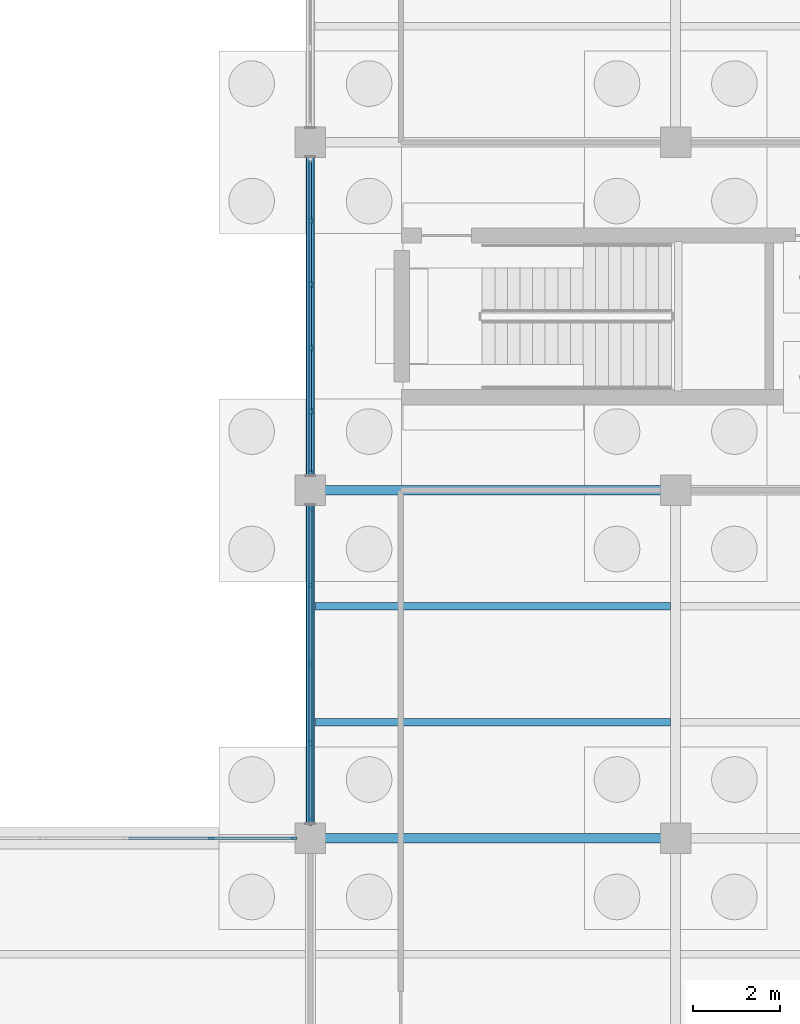
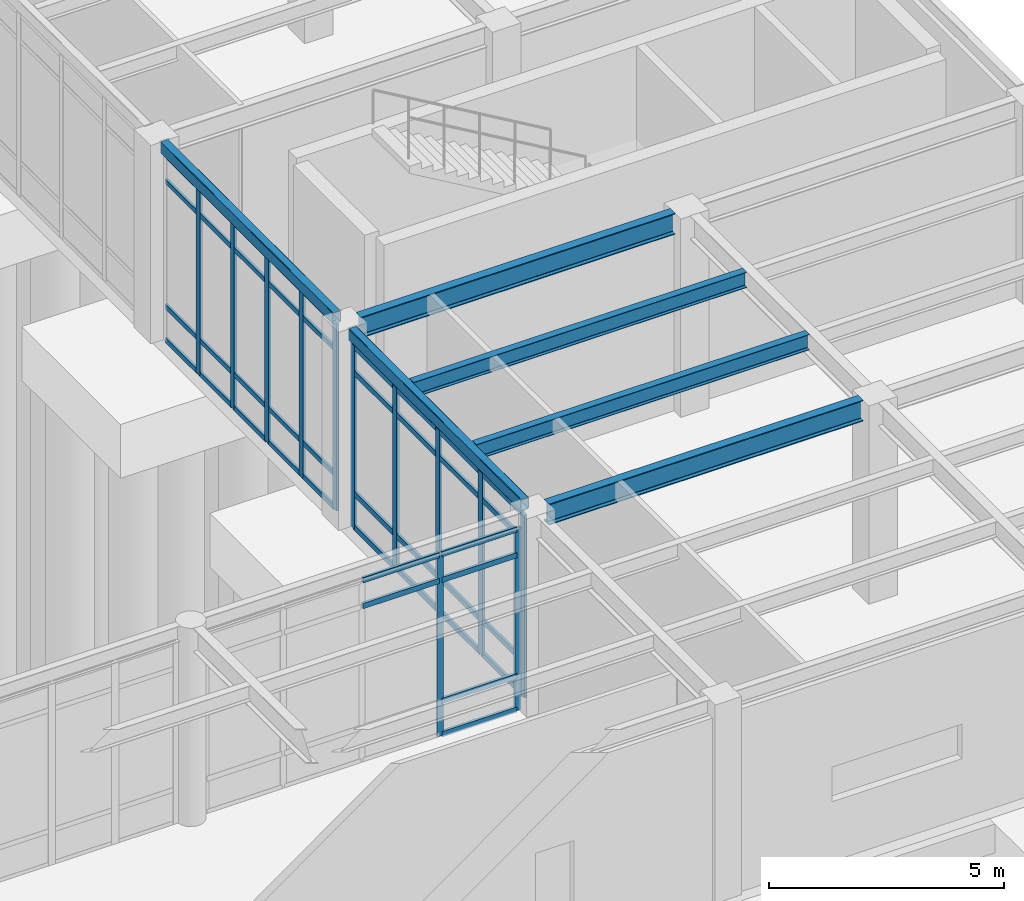
# One storey, part 58 of 138: 54 members, 6 beams, 3 elements without a shape of their own.
"""IFC4 building model written with IfcOpenShell, lengths in metres."""

import ifcopenshell
import ifcopenshell.guid

model = None  # the IFC model being written
_history = None  # IfcOwnerHistory: only IFC2X3 demands one
_inside = {}  # id of a spatial element -> (the spatial element, [elements in it])
_under = {}  # id of a project, library or spatial element -> (it, [spatial elements below it])
_declared = {}  # id of a project -> (the project, [libraries it declares])
_typed = {}  # id of a type object -> (the type object, [elements of that type])
_made_of = {}  # id of a material, layer set ... -> (it, [elements and type objects made of it])


def new_model(schema):
    """Start an empty IFC model of exactly this schema.

    Asked for "IFC4X3", IfcOpenShell would pick the latest addendum, in which some entities
    have other attributes; the version numbers below select the first issue.
    IFC2X3 requires an IfcOwnerHistory on every rooted entity: one is made here for all.
    """
    global model, _history
    if schema == "IFC4X3":
        model = ifcopenshell.file(schema_version=(4, 3, 0, 0))
    else:
        model = ifcopenshell.file(schema=schema)
    _inside.clear()
    _under.clear()
    _declared.clear()
    _typed.clear()
    _made_of.clear()
    _history = None
    if model.schema == "IFC2X3":
        org = make("IfcOrganization", Name="unknown")
        user = make(
            "IfcPersonAndOrganization",
            ThePerson=make("IfcPerson", FamilyName="unknown"),
            TheOrganization=org,
        )
        app = make(
            "IfcApplication",
            ApplicationDeveloper=org,
            Version="unknown",
            ApplicationFullName="unknown",
            ApplicationIdentifier="unknown",
        )
        _history = make(
            "IfcOwnerHistory",
            OwningUser=user,
            OwningApplication=app,
            ChangeAction="ADDED",
            CreationDate=0,
        )
    return model


def make(cls, **values):
    """One entity of the class cls with the attributes given. An attribute that is None is left unset."""
    return model.create_entity(
        cls, **{name: value for name, value in values.items() if value is not None}
    )


def rooted(cls, **values):
    """An entity with a GlobalId (a new one), such as an element, a storey or a relation."""
    return make(cls, GlobalId=ifcopenshell.guid.new(), OwnerHistory=_history, **values)


def si_unit(unit_type, name, prefix=None):
    """IfcSIUnit, for example si_unit("LENGTHUNIT", "METRE", prefix="MILLI")."""
    return make("IfcSIUnit", UnitType=unit_type, Prefix=prefix, Name=name)


def assignment(units):
    """IfcUnitAssignment: the units of a project."""
    return None if units is None else make("IfcUnitAssignment", Units=units)


def point(xyz):
    """IfcCartesianPoint."""
    return None if xyz is None else make("IfcCartesianPoint", Coordinates=xyz)


def direction(xyz):
    """IfcDirection."""
    return None if xyz is None else make("IfcDirection", DirectionRatios=xyz)


def frame(location, z_axis=None, x_axis=None):
    """IfcAxis2Placement3D, a coordinate frame: its origin and axes. An axis left out is left unset."""
    return make(
        "IfcAxis2Placement3D",
        Location=point(location),
        Axis=direction(z_axis),
        RefDirection=direction(x_axis),
    )


def frame_2d(location, x_axis=None):
    """IfcAxis2Placement2D, a coordinate frame in the plane: its origin and x axis."""
    return make(
        "IfcAxis2Placement2D", Location=point(location), RefDirection=direction(x_axis)
    )


def origin():
    """The frame at (0, 0, 0) with its axes left unset."""
    return frame((0.0, 0.0, 0.0))


def origin_2d():
    """The frame at (0, 0) in the plane with its x axis left unset."""
    return frame_2d((0.0, 0.0))


def place(relative_to, where):
    """IfcLocalPlacement: puts the frame where relative to a parent placement (None: the world)."""
    return make(
        "IfcLocalPlacement", PlacementRelTo=relative_to, RelativePlacement=where
    )


def context(
    kind, dimensions, precision=None, world=None, true_north=None, identifier=None
):
    """IfcGeometricRepresentationContext, for example the 3D "Model" context."""
    return make(
        "IfcGeometricRepresentationContext",
        ContextIdentifier=identifier,
        ContextType=kind,
        CoordinateSpaceDimension=dimensions,
        Precision=precision,
        WorldCoordinateSystem=world,
        TrueNorth=true_north,
    )


def subcontext(parent, identifier, kind, view, scale=None):
    """IfcGeometricRepresentationSubContext, for example "Body" below "Model"."""
    return make(
        "IfcGeometricRepresentationSubContext",
        ContextIdentifier=identifier,
        ContextType=kind,
        ParentContext=parent,
        TargetScale=scale,
        TargetView=view,
    )


def project(units=None, contexts=None):
    """IfcProject with its units and contexts."""
    return rooted(
        "IfcProject",
        Name="project",
        RepresentationContexts=contexts,
        UnitsInContext=assignment(units),
    )


def spatial(cls, under=None, at=None, **own):
    """A site, building, storey or space (cls), placed at a placement, below another one or the project."""
    s = rooted(cls, ObjectPlacement=at, **own)
    if under is not None:
        _under.setdefault(under.id(), (under, []))[1].append(s)
    return s


def profile(cls, at=None, kind="AREA", **sizes):
    """A parametric profile (cls). Its sizes go by their IFC names, for example OverallWidth=200.0."""
    return make(cls, ProfileType=kind, Position=at, **sizes)


def rectangle(**sizes):
    """IfcRectangleProfileDef."""
    return profile("IfcRectangleProfileDef", **sizes)


def hollow_rectangle(**sizes):
    """IfcRectangleHollowProfileDef."""
    return profile("IfcRectangleHollowProfileDef", **sizes)


def i_section(**sizes):
    """IfcIShapeProfileDef."""
    return profile("IfcIShapeProfileDef", **sizes)


def extrude(swept, where, along, depth):
    """IfcExtrudedAreaSolid: the profile swept, set in the frame where, extruded along a direction by depth."""
    return make(
        "IfcExtrudedAreaSolid",
        SweptArea=swept,
        Position=where,
        ExtrudedDirection=direction(along),
        Depth=depth,
    )


def shape(context_of_items, identifier, shape_type, items):
    """IfcShapeRepresentation: the items that make up one representation, for example the "Body"."""
    return make(
        "IfcShapeRepresentation",
        ContextOfItems=context_of_items,
        RepresentationIdentifier=identifier,
        RepresentationType=shape_type,
        Items=items,
    )


def material(Name=None, Category=None):
    """IfcMaterial."""
    return make("IfcMaterial", Name=Name, Category=Category)


def layer(
    of_material, thickness, ventilated=None, Name=None, Category=None, Priority=None
):
    """IfcMaterialLayer: one layer of a wall or slab, of a material (None: an air gap)."""
    return make(
        "IfcMaterialLayer",
        Material=of_material,
        LayerThickness=thickness,
        IsVentilated=ventilated,
        Name=Name,
        Category=Category,
        Priority=Priority,
    )


def layer_set(layers, Name=None):
    """IfcMaterialLayerSet."""
    return make("IfcMaterialLayerSet", MaterialLayers=layers, LayerSetName=Name)


def material_profile(
    of_material, cross_section, Name=None, Category=None, Priority=None
):
    """IfcMaterialProfile: a cross section and its material."""
    return make(
        "IfcMaterialProfile",
        Name=Name,
        Material=of_material,
        Profile=cross_section,
        Priority=Priority,
        Category=Category,
    )


def profile_set(profiles, Name=None, composite=None):
    """IfcMaterialProfileSet."""
    return make(
        "IfcMaterialProfileSet",
        Name=Name,
        MaterialProfiles=profiles,
        CompositeProfile=composite,
    )


def made_of(thing, what):
    """Note that an element or type object is made of a material, layer set ...; save() writes the relation."""
    if what is not None:
        _made_of.setdefault(what.id(), (what, []))[1].append(thing)
    return thing


def type_object(cls, material=None, **own):
    """A type object (cls), such as IfcWallType, which elements share."""
    return made_of(rooted(cls, **own), material)


def element(
    cls,
    number,
    at=None,
    inside=None,
    cuts=None,
    type_object=None,
    material=None,
    context=None,
    identifier="Body",
    shape_type=None,
    held_by="IfcProductDefinitionShape",
    body=None,
    shapes=None,
    **own,
):
    """One element of the class cls, such as IfcWall. Its Tag is "e" and its number.

    at: its placement. inside: the storey or other place that contains it. cuts: it is an
    opening in that element (IfcRelVoidsElement). A single representation is given by context,
    identifier, shape_type and body (its items); several are given by shapes. held_by: the class
    of the entity that holds the representations. save() writes the other relations.
    """
    e = rooted(cls, Tag="e%d" % number, ObjectPlacement=at, **own)
    if body is not None:
        shapes = [shape(context, identifier, shape_type, body)]
    if shapes is not None:
        e.Representation = make(held_by, Representations=shapes)
    if inside is not None:
        _inside.setdefault(inside.id(), (inside, []))[1].append(e)
    if cuts is not None:
        rooted(
            "IfcRelVoidsElement", RelatingBuildingElement=cuts, RelatedOpeningElement=e
        )
    if type_object is not None:
        _typed.setdefault(type_object.id(), (type_object, []))[1].append(e)
    return made_of(e, material)


def aggregate(whole, parts):
    """IfcRelAggregates: a whole, such as a stair, and the parts it consists of."""
    return rooted("IfcRelAggregates", RelatingObject=whole, RelatedObjects=parts)


def save(model, path):
    """Write the relations noted so far, then the file.

    IfcRelAggregates (storeys below a building ...), IfcRelContainedInSpatialStructure (elements
    in a storey), IfcRelDefinesByType, IfcRelAssociatesMaterial and IfcRelDeclares: one each for
    every whole, place, type object, material and project.
    """
    for whole, parts in _under.values():
        aggregate(whole, parts)
    for where, things in _inside.values():
        rooted(
            "IfcRelContainedInSpatialStructure",
            RelatedElements=things,
            RelatingStructure=where,
        )
    for kind, things in _typed.values():
        rooted("IfcRelDefinesByType", RelatedObjects=things, RelatingType=kind)
    for what, things in _made_of.values():
        rooted("IfcRelAssociatesMaterial", RelatedObjects=things, RelatingMaterial=what)
    for by, libraries in _declared.values():
        rooted("IfcRelDeclares", RelatingContext=by, RelatedDefinitions=libraries)
    model.write(path)


model = new_model("IFC4")

# Units and contexts
model_context = context("Model", 3, precision=1e-05, world=origin(), true_north=direction((0.0, 1.0)))
body_context = subcontext(model_context, "Body", "Model", "MODEL_VIEW")
ifc_project = project(units=[si_unit("LENGTHUNIT", "METRE"), si_unit("AREAUNIT", "SQUARE_METRE"), si_unit("VOLUMEUNIT", "CUBIC_METRE"), si_unit("PLANEANGLEUNIT", "RADIAN"), si_unit("MASSUNIT", "GRAM", prefix="KILO")], contexts=[model_context])

# Site, building, storey
site_placement = place(None, origin())
site = spatial("IfcSite", under=ifc_project, at=site_placement, CompositionType="ELEMENT")
building_placement = place(site_placement, origin())
building = spatial("IfcBuilding", under=site, at=building_placement, Name="Kranzveld Transit Interchange", CompositionType="ELEMENT")
storey_placement = place(building_placement, origin())
storey = spatial("IfcBuildingStorey", under=building, at=storey_placement, Name="L00", CompositionType="ELEMENT", Elevation=0.0)

# Curtain wall, members
ifc_material_1 = material(Name="Bronze-anodised thermally broken aluminium", Category="aluminium")
ifc_layer_1 = layer(ifc_material_1, 0.159912109375)
ifc_layer_set_1 = layer_set([ifc_layer_1], Name="Bronze-anodised thermally broken aluminium")
curtain_wall_type_1 = type_object("IfcCurtainWallType", Name="Bus Boarding Glazed Screen CW-3", PredefinedType="USERDEFINED", material=ifc_layer_set_1)
curtain_wall_1_placement = place(storey_placement, origin())
curtain_wall_1 = element("IfcCurtainWall", 1, at=curtain_wall_1_placement, inside=storey, type_object=curtain_wall_type_1, Name="L00 Curtain Wall 18/J-19/J", ObjectType="CURTAIN WALL", PredefinedType="USERDEFINED")
ifc_material_2 = material(Name="Bronze-anodised thermally broken aluminium", Category="aluminium")
ifc_material_profile_1 = material_profile(ifc_material_2, rectangle(XDim=0.06005859375, YDim=0.14990234375, at=origin_2d()), Name="ALU MULLION 60x150")
ifc_profile_set_1 = profile_set([ifc_material_profile_1], Name="Bronze-anodised thermally broken aluminium")
member_type_1 = type_object("IfcMemberType", Name="Curtain Wall Mullion 60x150 Alu", PredefinedType="MULLION", material=ifc_profile_set_1)
member_1_placement = place(storey_placement, frame((148.918701171875, 64.0, 0.0), z_axis=(0.0, 0.0, 1.0), x_axis=(0.0, 1.0, 0.0)))
member_1 = element("IfcMember", 2, at=member_1_placement, type_object=member_type_1, Name="CW-3 mullion 4", PredefinedType="MULLION", context=body_context, shape_type="SweptSolid", body=[
    extrude(rectangle(XDim=0.06005859375, YDim=0.14990234375, at=origin_2d()), origin(), (0.0, 0.0, 1.0), 4.740478515625),
])
member_2_placement = place(storey_placement, frame((150.820068359375, 64.0, 0.0), z_axis=(0.0, 0.0, 1.0), x_axis=(0.0, 1.0, 0.0)))
member_2 = element("IfcMember", 3, at=member_2_placement, type_object=member_type_1, Name="CW-3 mullion 5", PredefinedType="MULLION", context=body_context, shape_type="SweptSolid", body=[
    extrude(rectangle(XDim=0.06005859375, YDim=0.14990234375, at=origin_2d()), origin(), (0.0, 0.0, 1.0), 4.740478515625),
])

ifc_material_3 = material(Name="Bronze-anodised thermally broken aluminium", Category="aluminium")
ifc_layer_2 = layer(ifc_material_3, 0.1650390625)
ifc_layer_set_2 = layer_set([ifc_layer_2], Name="Bronze-anodised thermally broken aluminium")
curtain_wall_type_2 = type_object("IfcCurtainWallType", Name="Sunny Court Arcade Curtain Wall CW-2", PredefinedType="USERDEFINED", material=ifc_layer_set_2)
curtain_wall_2_placement = place(storey_placement, origin())
curtain_wall_2 = element("IfcCurtainWall", 4, at=curtain_wall_2_placement, inside=storey, type_object=curtain_wall_type_2, Name="L00 Curtain Wall 19/K-19/L", ObjectType="CURTAIN WALL", PredefinedType="USERDEFINED")
ifc_material_4 = material(Name="Bronze-anodised thermally broken aluminium", Category="aluminium")
ifc_material_profile_2 = material_profile(ifc_material_4, rectangle(XDim=0.06494140625, YDim=0.1650390625, at=origin_2d()), Name="ALU MULLION 65x165")
ifc_profile_set_2 = profile_set([ifc_material_profile_2], Name="Bronze-anodised thermally broken aluminium")
member_type_2 = type_object("IfcMemberType", Name="Curtain Wall Mullion 65x165 Alu", PredefinedType="MULLION", material=ifc_profile_set_2)
member_3_placement = place(storey_placement, frame((151.199951171875, 72.382568359375, 0.0), z_axis=(0.0, 0.0, 1.0), x_axis=(-1.0, 0.0, 0.0)))
member_3 = element("IfcMember", 5, at=member_3_placement, type_object=member_type_2, Name="CW-2 mullion 1", PredefinedType="MULLION", context=body_context, shape_type="SweptSolid", body=[
    extrude(rectangle(XDim=0.06494140625, YDim=0.1650390625, at=origin_2d()), origin(), (0.0, 0.0, 1.0), 4.85009765625),
])
member_4_placement = place(storey_placement, frame((151.199951171875, 73.81005859375, 0.0), z_axis=(0.0, 0.0, 1.0), x_axis=(-1.0, 0.0, 0.0)))
member_4 = element("IfcMember", 6, at=member_4_placement, type_object=member_type_2, Name="CW-2 mullion 2", PredefinedType="MULLION", context=body_context, shape_type="SweptSolid", body=[
    extrude(rectangle(XDim=0.06494140625, YDim=0.1650390625, at=origin_2d()), origin(), (0.0, 0.0, 1.0), 4.85009765625),
])
member_5_placement = place(storey_placement, frame((151.199951171875, 75.27001953125, 0.0), z_axis=(0.0, 0.0, 1.0), x_axis=(-1.0, 0.0, 0.0)))
member_5 = element("IfcMember", 7, at=member_5_placement, type_object=member_type_2, Name="CW-2 mullion 3", PredefinedType="MULLION", context=body_context, shape_type="SweptSolid", body=[
    extrude(rectangle(XDim=0.06494140625, YDim=0.1650390625, at=origin_2d()), origin(), (0.0, 0.0, 1.0), 4.85009765625),
])
member_6_placement = place(storey_placement, frame((151.199951171875, 76.72998046875, 0.0), z_axis=(0.0, 0.0, 1.0), x_axis=(-1.0, 0.0, 0.0)))
member_6 = element("IfcMember", 8, at=member_6_placement, type_object=member_type_2, Name="CW-2 mullion 4", PredefinedType="MULLION", context=body_context, shape_type="SweptSolid", body=[
    extrude(rectangle(XDim=0.06494140625, YDim=0.1650390625, at=origin_2d()), origin(), (0.0, 0.0, 1.0), 4.85009765625),
])
member_7_placement = place(storey_placement, frame((151.199951171875, 78.18994140625, 0.0), z_axis=(0.0, 0.0, 1.0), x_axis=(-1.0, 0.0, 0.0)))
member_7 = element("IfcMember", 9, at=member_7_placement, type_object=member_type_2, Name="CW-2 mullion 5", PredefinedType="MULLION", context=body_context, shape_type="SweptSolid", body=[
    extrude(rectangle(XDim=0.06494140625, YDim=0.1650390625, at=origin_2d()), origin(), (0.0, 0.0, 1.0), 4.85009765625),
])

ifc_material_5 = material(Name="Bronze-anodised thermally broken aluminium", Category="aluminium")
ifc_layer_3 = layer(ifc_material_5, 0.179931640625)
ifc_layer_set_3 = layer_set([ifc_layer_3], Name="Bronze-anodised thermally broken aluminium")
curtain_wall_type_3 = type_object("IfcCurtainWallType", Name="Concourse Unitised Curtain Wall CW-1", PredefinedType="USERDEFINED", material=ifc_layer_set_3)
curtain_wall_3_placement = place(storey_placement, origin())
curtain_wall_3 = element("IfcCurtainWall", 10, at=curtain_wall_3_placement, inside=storey, type_object=curtain_wall_type_3, Name="L00 Curtain Wall 19/J-19/K", ObjectType="CURTAIN WALL", PredefinedType="USERDEFINED")
ifc_material_6 = material(Name="Bronze-anodised thermally broken aluminium", Category="aluminium")
ifc_material_profile_3 = material_profile(ifc_material_6, rectangle(XDim=0.06494140625, YDim=0.179931640625, at=origin_2d()), Name="ALU MULLION 65x180")
ifc_profile_set_3 = profile_set([ifc_material_profile_3], Name="Bronze-anodised thermally broken aluminium")
member_type_3 = type_object("IfcMemberType", Name="Curtain Wall Mullion 65x180 Alu", PredefinedType="MULLION", material=ifc_profile_set_3)
member_8_placement = place(storey_placement, frame((151.199951171875, 64.382568359375, 0.0), z_axis=(0.0, 0.0, 1.0), x_axis=(-1.0, 0.0, 0.0)))
member_8 = element("IfcMember", 11, at=member_8_placement, type_object=member_type_3, Name="CW-1 mullion 1", PredefinedType="MULLION", context=body_context, shape_type="SweptSolid", body=[
    extrude(rectangle(XDim=0.06494140625, YDim=0.179931640625, at=origin_2d()), origin(), (0.0, 0.0, 1.0), 4.747314453125),
])
member_9_placement = place(storey_placement, frame((151.199951171875, 66.175048828125, 0.0), z_axis=(0.0, 0.0, 1.0), x_axis=(-1.0, 0.0, 0.0)))
member_9 = element("IfcMember", 12, at=member_9_placement, type_object=member_type_3, Name="CW-1 mullion 2", PredefinedType="MULLION", context=body_context, shape_type="SweptSolid", body=[
    extrude(rectangle(XDim=0.06494140625, YDim=0.179931640625, at=origin_2d()), origin(), (0.0, 0.0, 1.0), 4.747314453125),
])
member_10_placement = place(storey_placement, frame((151.199951171875, 68.0, 0.0), z_axis=(0.0, 0.0, 1.0), x_axis=(-1.0, 0.0, 0.0)))
member_10 = element("IfcMember", 13, at=member_10_placement, type_object=member_type_3, Name="CW-1 mullion 3", PredefinedType="MULLION", context=body_context, shape_type="SweptSolid", body=[
    extrude(rectangle(XDim=0.06494140625, YDim=0.179931640625, at=origin_2d()), origin(), (0.0, 0.0, 1.0), 4.747314453125),
])
member_11_placement = place(storey_placement, frame((151.199951171875, 69.824951171875, 0.0), z_axis=(0.0, 0.0, 1.0), x_axis=(-1.0, 0.0, 0.0)))
member_11 = element("IfcMember", 14, at=member_11_placement, type_object=member_type_3, Name="CW-1 mullion 4", PredefinedType="MULLION", context=body_context, shape_type="SweptSolid", body=[
    extrude(rectangle(XDim=0.06494140625, YDim=0.179931640625, at=origin_2d()), origin(), (0.0, 0.0, 1.0), 4.747314453125),
])
member_12_placement = place(storey_placement, frame((151.199951171875, 71.617431640625, 0.0), z_axis=(0.0, 0.0, 1.0), x_axis=(-1.0, 0.0, 0.0)))
member_12 = element("IfcMember", 15, at=member_12_placement, type_object=member_type_3, Name="CW-1 mullion 5", PredefinedType="MULLION", context=body_context, shape_type="SweptSolid", body=[
    extrude(rectangle(XDim=0.06494140625, YDim=0.179931640625, at=origin_2d()), origin(), (0.0, 0.0, 1.0), 4.747314453125),
])

# Member
ifc_material_7 = material(Name="Bronze-anodised thermally broken aluminium", Category="aluminium")
ifc_material_profile_4 = material_profile(ifc_material_7, rectangle(XDim=0.06005859375, YDim=0.125, at=origin_2d()), Name="ALU TRANSOM 60x125")
ifc_profile_set_4 = profile_set([ifc_material_profile_4], Name="Bronze-anodised thermally broken aluminium")
member_type_4 = type_object("IfcMemberType", Name="Curtain Wall Transom 60x125 Alu", PredefinedType="USERDEFINED", material=ifc_profile_set_4)
member_13_placement = place(storey_placement, frame((151.199951171875, 72.4150390625, 0.030029296875), z_axis=(0.0, 1.0, 0.0), x_axis=(-1.0, 0.0, 0.0)))
member_13 = element("IfcMember", 16, at=member_13_placement, type_object=member_type_4, Name="CW-2 transom 1.1", ObjectType="TRANSOM", PredefinedType="USERDEFINED", context=body_context, shape_type="SweptSolid", body=[
    extrude(rectangle(XDim=0.06005859375, YDim=0.125, at=origin_2d()), origin(), (0.0, 0.0, 1.0), 1.362548828125),
])

member_14_placement = place(storey_placement, frame((151.199951171875, 72.4150390625, 0.89990234375), z_axis=(0.0, 1.0, 0.0), x_axis=(-1.0, 0.0, 0.0)))
member_14 = element("IfcMember", 17, at=member_14_placement, type_object=member_type_4, Name="CW-2 transom 1.2", ObjectType="TRANSOM", PredefinedType="USERDEFINED", context=body_context, shape_type="SweptSolid", body=[
    extrude(rectangle(XDim=0.06005859375, YDim=0.125, at=origin_2d()), origin(), (0.0, 0.0, 1.0), 1.362548828125),
])

member_15_placement = place(storey_placement, frame((151.199951171875, 72.4150390625, 4.14990234375), z_axis=(0.0, 1.0, 0.0), x_axis=(-1.0, 0.0, 0.0)))
member_15 = element("IfcMember", 18, at=member_15_placement, type_object=member_type_4, Name="CW-2 transom 1.3", ObjectType="TRANSOM", PredefinedType="USERDEFINED", context=body_context, shape_type="SweptSolid", body=[
    extrude(rectangle(XDim=0.06005859375, YDim=0.125, at=origin_2d()), origin(), (0.0, 0.0, 1.0), 1.362548828125),
])

member_16_placement = place(storey_placement, frame((151.199951171875, 72.4150390625, 4.820068359375), z_axis=(0.0, 1.0, 0.0), x_axis=(-1.0, 0.0, 0.0)))
member_16 = element("IfcMember", 19, at=member_16_placement, type_object=member_type_4, Name="CW-2 transom 1.4", ObjectType="TRANSOM", PredefinedType="USERDEFINED", context=body_context, shape_type="SweptSolid", body=[
    extrude(rectangle(XDim=0.06005859375, YDim=0.125, at=origin_2d()), origin(), (0.0, 0.0, 1.0), 1.362548828125),
])

member_17_placement = place(storey_placement, frame((151.199951171875, 73.842529296875, 0.030029296875), z_axis=(0.0, 1.0, 0.0), x_axis=(-1.0, 0.0, 0.0)))
member_17 = element("IfcMember", 20, at=member_17_placement, type_object=member_type_4, Name="CW-2 transom 2.1", ObjectType="TRANSOM", PredefinedType="USERDEFINED", context=body_context, shape_type="SweptSolid", body=[
    extrude(rectangle(XDim=0.06005859375, YDim=0.125, at=origin_2d()), origin(), (0.0, 0.0, 1.0), 1.39501953125),
])

member_18_placement = place(storey_placement, frame((151.199951171875, 73.842529296875, 0.89990234375), z_axis=(0.0, 1.0, 0.0), x_axis=(-1.0, 0.0, 0.0)))
member_18 = element("IfcMember", 21, at=member_18_placement, type_object=member_type_4, Name="CW-2 transom 2.2", ObjectType="TRANSOM", PredefinedType="USERDEFINED", context=body_context, shape_type="SweptSolid", body=[
    extrude(rectangle(XDim=0.06005859375, YDim=0.125, at=origin_2d()), origin(), (0.0, 0.0, 1.0), 1.39501953125),
])

member_19_placement = place(storey_placement, frame((151.199951171875, 73.842529296875, 4.14990234375), z_axis=(0.0, 1.0, 0.0), x_axis=(-1.0, 0.0, 0.0)))
member_19 = element("IfcMember", 22, at=member_19_placement, type_object=member_type_4, Name="CW-2 transom 2.3", ObjectType="TRANSOM", PredefinedType="USERDEFINED", context=body_context, shape_type="SweptSolid", body=[
    extrude(rectangle(XDim=0.06005859375, YDim=0.125, at=origin_2d()), origin(), (0.0, 0.0, 1.0), 1.39501953125),
])

member_20_placement = place(storey_placement, frame((151.199951171875, 73.842529296875, 4.820068359375), z_axis=(0.0, 1.0, 0.0), x_axis=(-1.0, 0.0, 0.0)))
member_20 = element("IfcMember", 23, at=member_20_placement, type_object=member_type_4, Name="CW-2 transom 2.4", ObjectType="TRANSOM", PredefinedType="USERDEFINED", context=body_context, shape_type="SweptSolid", body=[
    extrude(rectangle(XDim=0.06005859375, YDim=0.125, at=origin_2d()), origin(), (0.0, 0.0, 1.0), 1.39501953125),
])

member_21_placement = place(storey_placement, frame((151.199951171875, 75.302490234375, 0.030029296875), z_axis=(0.0, 1.0, 0.0), x_axis=(-1.0, 0.0, 0.0)))
member_21 = element("IfcMember", 24, at=member_21_placement, type_object=member_type_4, Name="CW-2 transom 3.1", ObjectType="TRANSOM", PredefinedType="USERDEFINED", context=body_context, shape_type="SweptSolid", body=[
    extrude(rectangle(XDim=0.06005859375, YDim=0.125, at=origin_2d()), origin(), (0.0, 0.0, 1.0), 1.39501953125),
])

member_22_placement = place(storey_placement, frame((151.199951171875, 75.302490234375, 0.89990234375), z_axis=(0.0, 1.0, 0.0), x_axis=(-1.0, 0.0, 0.0)))
member_22 = element("IfcMember", 25, at=member_22_placement, type_object=member_type_4, Name="CW-2 transom 3.2", ObjectType="TRANSOM", PredefinedType="USERDEFINED", context=body_context, shape_type="SweptSolid", body=[
    extrude(rectangle(XDim=0.06005859375, YDim=0.125, at=origin_2d()), origin(), (0.0, 0.0, 1.0), 1.39501953125),
])

member_23_placement = place(storey_placement, frame((151.199951171875, 75.302490234375, 4.14990234375), z_axis=(0.0, 1.0, 0.0), x_axis=(-1.0, 0.0, 0.0)))
member_23 = element("IfcMember", 26, at=member_23_placement, type_object=member_type_4, Name="CW-2 transom 3.3", ObjectType="TRANSOM", PredefinedType="USERDEFINED", context=body_context, shape_type="SweptSolid", body=[
    extrude(rectangle(XDim=0.06005859375, YDim=0.125, at=origin_2d()), origin(), (0.0, 0.0, 1.0), 1.39501953125),
])

member_24_placement = place(storey_placement, frame((151.199951171875, 75.302490234375, 4.820068359375), z_axis=(0.0, 1.0, 0.0), x_axis=(-1.0, 0.0, 0.0)))
member_24 = element("IfcMember", 27, at=member_24_placement, type_object=member_type_4, Name="CW-2 transom 3.4", ObjectType="TRANSOM", PredefinedType="USERDEFINED", context=body_context, shape_type="SweptSolid", body=[
    extrude(rectangle(XDim=0.06005859375, YDim=0.125, at=origin_2d()), origin(), (0.0, 0.0, 1.0), 1.39501953125),
])

member_25_placement = place(storey_placement, frame((151.199951171875, 76.762451171875, 0.030029296875), z_axis=(0.0, 1.0, 0.0), x_axis=(-1.0, 0.0, 0.0)))
member_25 = element("IfcMember", 28, at=member_25_placement, type_object=member_type_4, Name="CW-2 transom 4.1", ObjectType="TRANSOM", PredefinedType="USERDEFINED", context=body_context, shape_type="SweptSolid", body=[
    extrude(rectangle(XDim=0.06005859375, YDim=0.125, at=origin_2d()), origin(), (0.0, 0.0, 1.0), 1.39501953125),
])

member_26_placement = place(storey_placement, frame((151.199951171875, 76.762451171875, 0.89990234375), z_axis=(0.0, 1.0, 0.0), x_axis=(-1.0, 0.0, 0.0)))
member_26 = element("IfcMember", 29, at=member_26_placement, type_object=member_type_4, Name="CW-2 transom 4.2", ObjectType="TRANSOM", PredefinedType="USERDEFINED", context=body_context, shape_type="SweptSolid", body=[
    extrude(rectangle(XDim=0.06005859375, YDim=0.125, at=origin_2d()), origin(), (0.0, 0.0, 1.0), 1.39501953125),
])

member_27_placement = place(storey_placement, frame((151.199951171875, 76.762451171875, 4.14990234375), z_axis=(0.0, 1.0, 0.0), x_axis=(-1.0, 0.0, 0.0)))
member_27 = element("IfcMember", 30, at=member_27_placement, type_object=member_type_4, Name="CW-2 transom 4.3", ObjectType="TRANSOM", PredefinedType="USERDEFINED", context=body_context, shape_type="SweptSolid", body=[
    extrude(rectangle(XDim=0.06005859375, YDim=0.125, at=origin_2d()), origin(), (0.0, 0.0, 1.0), 1.39501953125),
])

member_28_placement = place(storey_placement, frame((151.199951171875, 76.762451171875, 4.820068359375), z_axis=(0.0, 1.0, 0.0), x_axis=(-1.0, 0.0, 0.0)))
member_28 = element("IfcMember", 31, at=member_28_placement, type_object=member_type_4, Name="CW-2 transom 4.4", ObjectType="TRANSOM", PredefinedType="USERDEFINED", context=body_context, shape_type="SweptSolid", body=[
    extrude(rectangle(XDim=0.06005859375, YDim=0.125, at=origin_2d()), origin(), (0.0, 0.0, 1.0), 1.39501953125),
])

member_29_placement = place(storey_placement, frame((151.199951171875, 78.222412109375, 0.030029296875), z_axis=(0.0, 1.0, 0.0), x_axis=(-1.0, 0.0, 0.0)))
member_29 = element("IfcMember", 32, at=member_29_placement, type_object=member_type_4, Name="CW-2 transom 5.1", ObjectType="TRANSOM", PredefinedType="USERDEFINED", context=body_context, shape_type="SweptSolid", body=[
    extrude(rectangle(XDim=0.06005859375, YDim=0.125, at=origin_2d()), origin(), (0.0, 0.0, 1.0), 1.362548828125),
])

member_30_placement = place(storey_placement, frame((151.199951171875, 78.222412109375, 0.89990234375), z_axis=(0.0, 1.0, 0.0), x_axis=(-1.0, 0.0, 0.0)))
member_30 = element("IfcMember", 33, at=member_30_placement, type_object=member_type_4, Name="CW-2 transom 5.2", ObjectType="TRANSOM", PredefinedType="USERDEFINED", context=body_context, shape_type="SweptSolid", body=[
    extrude(rectangle(XDim=0.06005859375, YDim=0.125, at=origin_2d()), origin(), (0.0, 0.0, 1.0), 1.362548828125),
])

member_31_placement = place(storey_placement, frame((151.199951171875, 78.222412109375, 4.14990234375), z_axis=(0.0, 1.0, 0.0), x_axis=(-1.0, 0.0, 0.0)))
member_31 = element("IfcMember", 34, at=member_31_placement, type_object=member_type_4, Name="CW-2 transom 5.3", ObjectType="TRANSOM", PredefinedType="USERDEFINED", context=body_context, shape_type="SweptSolid", body=[
    extrude(rectangle(XDim=0.06005859375, YDim=0.125, at=origin_2d()), origin(), (0.0, 0.0, 1.0), 1.362548828125),
])

member_32_placement = place(storey_placement, frame((151.199951171875, 78.222412109375, 4.820068359375), z_axis=(0.0, 1.0, 0.0), x_axis=(-1.0, 0.0, 0.0)))
member_32 = element("IfcMember", 35, at=member_32_placement, type_object=member_type_4, Name="CW-2 transom 5.4", ObjectType="TRANSOM", PredefinedType="USERDEFINED", context=body_context, shape_type="SweptSolid", body=[
    extrude(rectangle(XDim=0.06005859375, YDim=0.125, at=origin_2d()), origin(), (0.0, 0.0, 1.0), 1.362548828125),
])

aggregate(curtain_wall_2, [member_3, member_4, member_5, member_6, member_7, member_13, member_14, member_15, member_16, member_17, member_18, member_19, member_20, member_21, member_22, member_23, member_24, member_25, member_26, member_27, member_28, member_29, member_30, member_31, member_32])

ifc_material_8 = material(Name="Bronze-anodised thermally broken aluminium", Category="aluminium")
ifc_material_profile_5 = material_profile(ifc_material_8, rectangle(XDim=0.06494140625, YDim=0.139892578125, at=origin_2d()), Name="ALU TRANSOM 65x140")
ifc_profile_set_5 = profile_set([ifc_material_profile_5], Name="Bronze-anodised thermally broken aluminium")
member_type_5 = type_object("IfcMemberType", Name="Curtain Wall Transom 65x140 Alu", PredefinedType="USERDEFINED", material=ifc_profile_set_5)
member_33_placement = place(storey_placement, frame((147.017578125, 64.0, 4.04052734375), z_axis=(1.0, 0.0, 0.0), x_axis=(0.0, 1.0, 0.0)))
member_33 = element("IfcMember", 36, at=member_33_placement, type_object=member_type_5, Name="CW-3 transom 3.3", ObjectType="TRANSOM", PredefinedType="USERDEFINED", context=body_context, shape_type="SweptSolid", body=[
    extrude(rectangle(XDim=0.06494140625, YDim=0.139892578125, at=origin_2d()), origin(), (0.0, 0.0, 1.0), 1.87109375),
])

member_34_placement = place(storey_placement, frame((147.017578125, 64.0, 4.7080078125), z_axis=(1.0, 0.0, 0.0), x_axis=(0.0, 1.0, 0.0)))
member_34 = element("IfcMember", 37, at=member_34_placement, type_object=member_type_5, Name="CW-3 transom 3.4", ObjectType="TRANSOM", PredefinedType="USERDEFINED", context=body_context, shape_type="SweptSolid", body=[
    extrude(rectangle(XDim=0.06494140625, YDim=0.139892578125, at=origin_2d()), origin(), (0.0, 0.0, 1.0), 1.87109375),
])

member_35_placement = place(storey_placement, frame((148.94873046875, 64.0, 0.032470703125), z_axis=(1.0, 0.0, 0.0), x_axis=(0.0, 1.0, 0.0)))
member_35 = element("IfcMember", 38, at=member_35_placement, type_object=member_type_5, Name="CW-3 transom 4.1", ObjectType="TRANSOM", PredefinedType="USERDEFINED", context=body_context, shape_type="SweptSolid", body=[
    extrude(rectangle(XDim=0.06494140625, YDim=0.139892578125, at=origin_2d()), origin(), (0.0, 0.0, 1.0), 1.84130859375),
])

member_36_placement = place(storey_placement, frame((148.94873046875, 64.0, 0.89990234375), z_axis=(1.0, 0.0, 0.0), x_axis=(0.0, 1.0, 0.0)))
member_36 = element("IfcMember", 39, at=member_36_placement, type_object=member_type_5, Name="CW-3 transom 4.2", ObjectType="TRANSOM", PredefinedType="USERDEFINED", context=body_context, shape_type="SweptSolid", body=[
    extrude(rectangle(XDim=0.06494140625, YDim=0.139892578125, at=origin_2d()), origin(), (0.0, 0.0, 1.0), 1.84130859375),
])

member_37_placement = place(storey_placement, frame((148.94873046875, 64.0, 4.04052734375), z_axis=(1.0, 0.0, 0.0), x_axis=(0.0, 1.0, 0.0)))
member_37 = element("IfcMember", 40, at=member_37_placement, type_object=member_type_5, Name="CW-3 transom 4.3", ObjectType="TRANSOM", PredefinedType="USERDEFINED", context=body_context, shape_type="SweptSolid", body=[
    extrude(rectangle(XDim=0.06494140625, YDim=0.139892578125, at=origin_2d()), origin(), (0.0, 0.0, 1.0), 1.84130859375),
])

member_38_placement = place(storey_placement, frame((148.94873046875, 64.0, 4.7080078125), z_axis=(1.0, 0.0, 0.0), x_axis=(0.0, 1.0, 0.0)))
member_38 = element("IfcMember", 41, at=member_38_placement, type_object=member_type_5, Name="CW-3 transom 4.4", ObjectType="TRANSOM", PredefinedType="USERDEFINED", context=body_context, shape_type="SweptSolid", body=[
    extrude(rectangle(XDim=0.06494140625, YDim=0.139892578125, at=origin_2d()), origin(), (0.0, 0.0, 1.0), 1.84130859375),
])

aggregate(curtain_wall_1, [member_1, member_2, member_33, member_34, member_35, member_36, member_37, member_38])

member_39_placement = place(storey_placement, frame((151.199951171875, 64.4150390625, 0.032470703125), z_axis=(0.0, 1.0, 0.0), x_axis=(-1.0, 0.0, 0.0)))
member_39 = element("IfcMember", 42, at=member_39_placement, type_object=member_type_5, Name="CW-1 transom 1.1", ObjectType="TRANSOM", PredefinedType="USERDEFINED", context=body_context, shape_type="SweptSolid", body=[
    extrude(rectangle(XDim=0.06494140625, YDim=0.139892578125, at=origin_2d()), origin(), (0.0, 0.0, 1.0), 1.7275390625),
])

member_40_placement = place(storey_placement, frame((151.199951171875, 64.4150390625, 0.89990234375), z_axis=(0.0, 1.0, 0.0), x_axis=(-1.0, 0.0, 0.0)))
member_40 = element("IfcMember", 43, at=member_40_placement, type_object=member_type_5, Name="CW-1 transom 1.2", ObjectType="TRANSOM", PredefinedType="USERDEFINED", context=body_context, shape_type="SweptSolid", body=[
    extrude(rectangle(XDim=0.06494140625, YDim=0.139892578125, at=origin_2d()), origin(), (0.0, 0.0, 1.0), 1.7275390625),
])

member_41_placement = place(storey_placement, frame((151.199951171875, 64.4150390625, 4.04736328125), z_axis=(0.0, 1.0, 0.0), x_axis=(-1.0, 0.0, 0.0)))
member_41 = element("IfcMember", 44, at=member_41_placement, type_object=member_type_5, Name="CW-1 transom 1.3", ObjectType="TRANSOM", PredefinedType="USERDEFINED", context=body_context, shape_type="SweptSolid", body=[
    extrude(rectangle(XDim=0.06494140625, YDim=0.139892578125, at=origin_2d()), origin(), (0.0, 0.0, 1.0), 1.7275390625),
])

member_42_placement = place(storey_placement, frame((151.199951171875, 64.4150390625, 4.71484375), z_axis=(0.0, 1.0, 0.0), x_axis=(-1.0, 0.0, 0.0)))
member_42 = element("IfcMember", 45, at=member_42_placement, type_object=member_type_5, Name="CW-1 transom 1.4", ObjectType="TRANSOM", PredefinedType="USERDEFINED", context=body_context, shape_type="SweptSolid", body=[
    extrude(rectangle(XDim=0.06494140625, YDim=0.139892578125, at=origin_2d()), origin(), (0.0, 0.0, 1.0), 1.7275390625),
])

member_43_placement = place(storey_placement, frame((151.199951171875, 66.20751953125, 0.032470703125), z_axis=(0.0, 1.0, 0.0), x_axis=(-1.0, 0.0, 0.0)))
member_43 = element("IfcMember", 46, at=member_43_placement, type_object=member_type_5, Name="CW-1 transom 2.1", ObjectType="TRANSOM", PredefinedType="USERDEFINED", context=body_context, shape_type="SweptSolid", body=[
    extrude(rectangle(XDim=0.06494140625, YDim=0.139892578125, at=origin_2d()), origin(), (0.0, 0.0, 1.0), 1.760009765625),
])

member_44_placement = place(storey_placement, frame((151.199951171875, 66.20751953125, 0.89990234375), z_axis=(0.0, 1.0, 0.0), x_axis=(-1.0, 0.0, 0.0)))
member_44 = element("IfcMember", 47, at=member_44_placement, type_object=member_type_5, Name="CW-1 transom 2.2", ObjectType="TRANSOM", PredefinedType="USERDEFINED", context=body_context, shape_type="SweptSolid", body=[
    extrude(rectangle(XDim=0.06494140625, YDim=0.139892578125, at=origin_2d()), origin(), (0.0, 0.0, 1.0), 1.760009765625),
])

member_45_placement = place(storey_placement, frame((151.199951171875, 66.20751953125, 4.04736328125), z_axis=(0.0, 1.0, 0.0), x_axis=(-1.0, 0.0, 0.0)))
member_45 = element("IfcMember", 48, at=member_45_placement, type_object=member_type_5, Name="CW-1 transom 2.3", ObjectType="TRANSOM", PredefinedType="USERDEFINED", context=body_context, shape_type="SweptSolid", body=[
    extrude(rectangle(XDim=0.06494140625, YDim=0.139892578125, at=origin_2d()), origin(), (0.0, 0.0, 1.0), 1.760009765625),
])

member_46_placement = place(storey_placement, frame((151.199951171875, 66.20751953125, 4.71484375), z_axis=(0.0, 1.0, 0.0), x_axis=(-1.0, 0.0, 0.0)))
member_46 = element("IfcMember", 49, at=member_46_placement, type_object=member_type_5, Name="CW-1 transom 2.4", ObjectType="TRANSOM", PredefinedType="USERDEFINED", context=body_context, shape_type="SweptSolid", body=[
    extrude(rectangle(XDim=0.06494140625, YDim=0.139892578125, at=origin_2d()), origin(), (0.0, 0.0, 1.0), 1.760009765625),
])

member_47_placement = place(storey_placement, frame((151.199951171875, 68.032470703125, 0.032470703125), z_axis=(0.0, 1.0, 0.0), x_axis=(-1.0, 0.0, 0.0)))
member_47 = element("IfcMember", 50, at=member_47_placement, type_object=member_type_5, Name="CW-1 transom 3.1", ObjectType="TRANSOM", PredefinedType="USERDEFINED", context=body_context, shape_type="SweptSolid", body=[
    extrude(rectangle(XDim=0.06494140625, YDim=0.139892578125, at=origin_2d()), origin(), (0.0, 0.0, 1.0), 1.760009765625),
])

member_48_placement = place(storey_placement, frame((151.199951171875, 68.032470703125, 0.89990234375), z_axis=(0.0, 1.0, 0.0), x_axis=(-1.0, 0.0, 0.0)))
member_48 = element("IfcMember", 51, at=member_48_placement, type_object=member_type_5, Name="CW-1 transom 3.2", ObjectType="TRANSOM", PredefinedType="USERDEFINED", context=body_context, shape_type="SweptSolid", body=[
    extrude(rectangle(XDim=0.06494140625, YDim=0.139892578125, at=origin_2d()), origin(), (0.0, 0.0, 1.0), 1.760009765625),
])

member_49_placement = place(storey_placement, frame((151.199951171875, 68.032470703125, 4.04736328125), z_axis=(0.0, 1.0, 0.0), x_axis=(-1.0, 0.0, 0.0)))
member_49 = element("IfcMember", 52, at=member_49_placement, type_object=member_type_5, Name="CW-1 transom 3.3", ObjectType="TRANSOM", PredefinedType="USERDEFINED", context=body_context, shape_type="SweptSolid", body=[
    extrude(rectangle(XDim=0.06494140625, YDim=0.139892578125, at=origin_2d()), origin(), (0.0, 0.0, 1.0), 1.760009765625),
])

member_50_placement = place(storey_placement, frame((151.199951171875, 68.032470703125, 4.71484375), z_axis=(0.0, 1.0, 0.0), x_axis=(-1.0, 0.0, 0.0)))
member_50 = element("IfcMember", 53, at=member_50_placement, type_object=member_type_5, Name="CW-1 transom 3.4", ObjectType="TRANSOM", PredefinedType="USERDEFINED", context=body_context, shape_type="SweptSolid", body=[
    extrude(rectangle(XDim=0.06494140625, YDim=0.139892578125, at=origin_2d()), origin(), (0.0, 0.0, 1.0), 1.760009765625),
])

member_51_placement = place(storey_placement, frame((151.199951171875, 69.857421875, 0.032470703125), z_axis=(0.0, 1.0, 0.0), x_axis=(-1.0, 0.0, 0.0)))
member_51 = element("IfcMember", 54, at=member_51_placement, type_object=member_type_5, Name="CW-1 transom 4.1", ObjectType="TRANSOM", PredefinedType="USERDEFINED", context=body_context, shape_type="SweptSolid", body=[
    extrude(rectangle(XDim=0.06494140625, YDim=0.139892578125, at=origin_2d()), origin(), (0.0, 0.0, 1.0), 1.7275390625),
])

member_52_placement = place(storey_placement, frame((151.199951171875, 69.857421875, 0.89990234375), z_axis=(0.0, 1.0, 0.0), x_axis=(-1.0, 0.0, 0.0)))
member_52 = element("IfcMember", 55, at=member_52_placement, type_object=member_type_5, Name="CW-1 transom 4.2", ObjectType="TRANSOM", PredefinedType="USERDEFINED", context=body_context, shape_type="SweptSolid", body=[
    extrude(rectangle(XDim=0.06494140625, YDim=0.139892578125, at=origin_2d()), origin(), (0.0, 0.0, 1.0), 1.7275390625),
])

member_53_placement = place(storey_placement, frame((151.199951171875, 69.857421875, 4.04736328125), z_axis=(0.0, 1.0, 0.0), x_axis=(-1.0, 0.0, 0.0)))
member_53 = element("IfcMember", 56, at=member_53_placement, type_object=member_type_5, Name="CW-1 transom 4.3", ObjectType="TRANSOM", PredefinedType="USERDEFINED", context=body_context, shape_type="SweptSolid", body=[
    extrude(rectangle(XDim=0.06494140625, YDim=0.139892578125, at=origin_2d()), origin(), (0.0, 0.0, 1.0), 1.7275390625),
])

member_54_placement = place(storey_placement, frame((151.199951171875, 69.857421875, 4.71484375), z_axis=(0.0, 1.0, 0.0), x_axis=(-1.0, 0.0, 0.0)))
member_54 = element("IfcMember", 57, at=member_54_placement, type_object=member_type_5, Name="CW-1 transom 4.4", ObjectType="TRANSOM", PredefinedType="USERDEFINED", context=body_context, shape_type="SweptSolid", body=[
    extrude(rectangle(XDim=0.06494140625, YDim=0.139892578125, at=origin_2d()), origin(), (0.0, 0.0, 1.0), 1.7275390625),
])

aggregate(curtain_wall_3, [member_8, member_9, member_10, member_11, member_12, member_39, member_40, member_41, member_42, member_43, member_44, member_45, member_46, member_47, member_48, member_49, member_50, member_51, member_52, member_53, member_54])

# Beams
ifc_material_9 = material(Name="Steel S355JR", Category="steel")
ifc_material_profile_6 = material_profile(ifc_material_9, hollow_rectangle(XDim=0.199951171875, YDim=0.300048828125, WallThickness=0.010009765625, InnerFilletRadius=0.014892578125, OuterFilletRadius=0.02490234375, at=origin_2d()), Name="RHS 300x200x10")
ifc_profile_set_6 = profile_set([ifc_material_profile_6], Name="Steel S355JR")
beam_type_1 = type_object("IfcBeamType", Name="Edge Spandrel RHS 300x200x10 S355JR", PredefinedType="SPANDREL", material=ifc_profile_set_6)
for number, where, z_axis, x_axis, name in (
    (58, (151.199951171875, 64.340087890625, 5.0), (0.0, 1.0, 0.0), (-1.0, 0.0, 0.0), "L00 Girder 19/J-K"),
    (59, (151.199951171875, 72.340087890625, 5.0), (0.0, 1.0, 0.0), (-1.0, 0.0, 0.0), "L00 Girder 19/K-L"),
):
    element("IfcBeam", number, at=place(storey_placement, frame(where, z_axis=z_axis, x_axis=x_axis)), inside=storey, type_object=beam_type_1, Name=name, PredefinedType="SPANDREL", context=body_context, shape_type="SweptSolid", body=[
        extrude(hollow_rectangle(XDim=0.199951171875, YDim=0.300048828125, WallThickness=0.010009765625, InnerFilletRadius=0.014892578125, OuterFilletRadius=0.02490234375, at=origin_2d()), origin(), (0.0, 0.0, 1.0), 7.31982421875),
    ])
ifc_material_10 = material(Name="Steel S355JR", Category="steel")
ifc_material_profile_7 = material_profile(ifc_material_10, i_section(OverallWidth=0.177734375, OverallDepth=0.402587890625, WebThickness=0.0078125, FlangeThickness=0.010986328125, FilletRadius=0.01025390625, at=origin_2d()), Name="UB 406x178x54")
ifc_profile_set_7 = profile_set([ifc_material_profile_7], Name="Steel S355JR")
beam_type_2 = type_object("IfcBeamType", Name="Floor Joist UB 406x178x54 S355JR", PredefinedType="JOIST", material=ifc_profile_set_7)
for number, where, z_axis, x_axis, name in (
    (60, (151.302001953125, 66.666748046875, 4.94873046875), (1.0, 0.0, 0.0), (0.0, 1.0, 0.0), "L00 Secondary Joist 19-20/J.1"),
    (61, (151.302001953125, 69.333251953125, 4.94873046875), (1.0, 0.0, 0.0), (0.0, 1.0, 0.0), "L00 Secondary Joist 19-20/J.2"),
):
    element("IfcBeam", number, at=place(storey_placement, frame(where, z_axis=z_axis, x_axis=x_axis)), inside=storey, type_object=beam_type_2, Name=name, PredefinedType="JOIST", context=body_context, shape_type="SweptSolid", body=[
        extrude(i_section(OverallWidth=0.177734375, OverallDepth=0.402587890625, WebThickness=0.0078125, FlangeThickness=0.010986328125, FilletRadius=0.01025390625, at=origin_2d()), origin(), (0.0, 0.0, 1.0), 8.181884765625),
    ])
ifc_material_11 = material(Name="Steel S355JR", Category="steel")
ifc_material_profile_8 = material_profile(ifc_material_11, i_section(OverallWidth=0.2119140625, OverallDepth=0.54443359375, WebThickness=0.0126953125, FlangeThickness=0.021240234375, FilletRadius=0.0126953125, at=origin_2d()), Name="UB 533x210x122")
ifc_profile_set_8 = profile_set([ifc_material_profile_8], Name="Steel S355JR")
beam_type_3 = type_object("IfcBeamType", Name="Girder Steel UB 533x210x122 S355JR", PredefinedType="BEAM", material=ifc_profile_set_8)
for number, where, z_axis, x_axis, name in (
    (62, (151.5400390625, 64.0, 4.877685546875), (1.0, 0.0, 0.0), (0.0, 1.0, 0.0), "L00 Girder 19-20/J"),
    (63, (151.5400390625, 72.0, 4.877685546875), (1.0, 0.0, 0.0), (0.0, 1.0, 0.0), "L00 Girder 19-20/K"),
):
    element("IfcBeam", number, at=place(storey_placement, frame(where, z_axis=z_axis, x_axis=x_axis)), inside=storey, type_object=beam_type_3, Name=name, PredefinedType="BEAM", context=body_context, shape_type="SweptSolid", body=[
        extrude(i_section(OverallWidth=0.2119140625, OverallDepth=0.54443359375, WebThickness=0.0126953125, FlangeThickness=0.021240234375, FilletRadius=0.0126953125, at=origin_2d()), origin(), (0.0, 0.0, 1.0), 7.719970703125),
    ])

save(model, "model.ifc")
